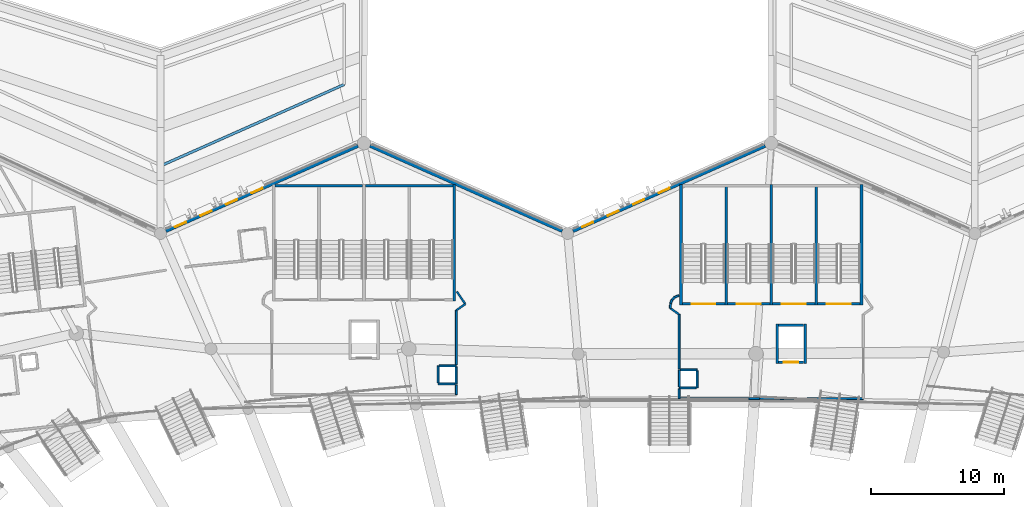
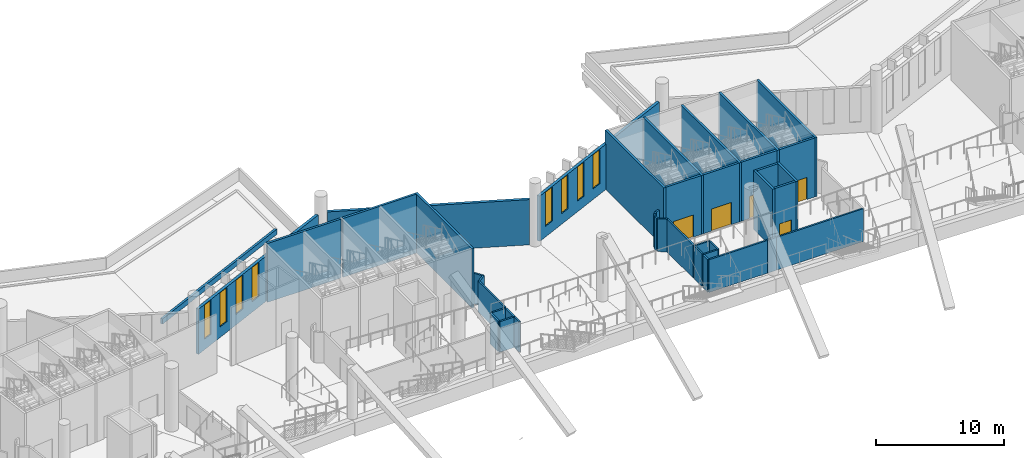
# One storey, part 68 of 173: 42 walls, 8 windows, 5 doors, 13 openings.
"""IFC4 building model written with IfcOpenShell, lengths in metres."""

from ifc_helpers import new_model, si_unit, direction, frame, frame_2d, origin, place, context, subcontext, project, spatial, rectangle, extrude, material, layer, layer_set, type_object, element, fill, save


model = new_model("IFC4")

# Units and contexts
model_context = context("Model", 3, precision=1e-05, world=origin(), true_north=direction((0.0, 1.0)))
body_context = subcontext(model_context, "Body", "Model", "MODEL_VIEW")
ifc_project = project(units=[si_unit("LENGTHUNIT", "METRE"), si_unit("AREAUNIT", "SQUARE_METRE"), si_unit("VOLUMEUNIT", "CUBIC_METRE"), si_unit("PLANEANGLEUNIT", "RADIAN"), si_unit("MASSUNIT", "GRAM", prefix="KILO")], contexts=[model_context])

# Site, building, storey
site_placement = place(None, origin())
site = spatial("IfcSite", under=ifc_project, at=site_placement, CompositionType="ELEMENT")
building_placement = place(site_placement, origin())
building = spatial("IfcBuilding", under=site, at=building_placement, Name="Meseta Stadium", CompositionType="ELEMENT")
storey_placement = place(building_placement, frame((0.0, 0.0, 18.0)))
storey = spatial("IfcBuildingStorey", under=building, at=storey_placement, Name="L03", CompositionType="ELEMENT", Elevation=18.0)

# Walls
ifc_material_1 = material(Name="Concrete C40/50", Category="concrete")
ifc_layer_1 = layer(ifc_material_1, 0.199951171875)
ifc_layer_set_1 = layer_set([ifc_layer_1], Name="Core divider wall 200")
wall_type_1 = type_object("IfcWallType", Name="Core divider wall 200", PredefinedType="SHEAR", material=ifc_layer_set_1)
for number, where, z_axis, x_axis, name in (
    (1, (11.066650390625, 102.300048828125, 0.0), (0.0, 0.0, 1.0), (0.0, -1.0, 0.0), "Core 10 L03 stair A divider wall"),
    (2, (4.2666015625, 102.300048828125, 0.0), (0.0, 0.0, 1.0), (0.0, -1.0, 0.0), "Core 10 L03 stair B divider wall"),
):
    element("IfcWall", number, at=place(storey_placement, frame(where, z_axis=z_axis, x_axis=x_axis)), inside=storey, type_object=wall_type_1, Name=name, PredefinedType="SHEAR", context=body_context, shape_type="SweptSolid", body=[
        extrude(rectangle(XDim=9.10009765625, YDim=0.199951171875, at=frame_2d((4.550048828125, 0.0))), origin(), (0.0, 0.0, 1.0), 5.60009765625),
    ])
ifc_material_2 = material(Name="Concrete C40/50", Category="concrete")
ifc_layer_2 = layer(ifc_material_2, 0.199951171875)
ifc_layer_set_2 = layer_set([ifc_layer_2], Name="Core shaft wall 200")
wall_type_2 = type_object("IfcWallType", Name="Core shaft wall 200", PredefinedType="SHEAR", material=ifc_layer_set_2)
for number, where, z_axis, x_axis, name in (
    (3, (14.466796875, 102.300048828125, 0.0), (0.0, 0.0, 1.0), (0.0, -1.0, 0.0), "Core 10 L03 stair wall A-side"),
    (4, (7.666748046875, 102.300048828125, 0.0), (0.0, 0.0, 1.0), (0.0, -1.0, 0.0), "Core 10 L03 stair wall shared"),
    (5, (0.86669921875, 102.300048828125, 0.0), (0.0, 0.0, 1.0), (0.0, -1.0, 0.0), "Core 10 L03 stair wall B-side"),
):
    element("IfcWall", number, at=place(storey_placement, frame(where, z_axis=z_axis, x_axis=x_axis)), inside=storey, type_object=wall_type_2, Name=name, PredefinedType="SHEAR", context=body_context, shape_type="SweptSolid", body=[
        extrude(rectangle(XDim=9.10009765625, YDim=0.199951171875, at=frame_2d((4.550048828125, 0.0))), origin(), (0.0, 0.0, 1.0), 5.60009765625),
    ])

# Wall, opening, door
wall_1_placement = place(storey_placement, frame((14.36669921875, 93.300048828125, 0.0), z_axis=(0.0, 0.0, 1.0), x_axis=(-1.0, 0.0, 0.0)))
wall_1 = element("IfcWall", 6, at=wall_1_placement, inside=storey, type_object=wall_type_2, Name="Core 10 L03 stair A1 inner end wall", PredefinedType="SHEAR", context=body_context, shape_type="SweptSolid", body=[
    extrude(rectangle(XDim=3.199951171875, YDim=0.199951171875, at=frame_2d((1.60009765625, 0.0))), origin(), (0.0, 0.0, 1.0), 5.60009765625),
])
opening_1_placement = place(wall_1_placement, frame((0.699951171875, 0.0, 0.0)))
opening_1 = element("IfcOpeningElement", 7, at=opening_1_placement, cuts=wall_1, Name="Opening D1393", PredefinedType="OPENING", context=body_context, shape_type="SweptSolid", body=[
    extrude(rectangle(XDim=1.800048828125, YDim=2.10009765625, at=frame_2d((0.89990234375, 1.050048828125))), frame((0.0, 0.10986328125, 0.0), z_axis=(0.0, -1.0, 0.0), x_axis=(1.0, 0.0, 0.0)), (0.0, 0.0, 1.0), 0.219970703125),
])
ifc_material_3 = material(Name="Steel", Category="steel")
door_type_1 = type_object("IfcDoorType", Name="Stair door 1800x2100", OperationType="DOUBLE_DOOR_SINGLE_SWING", PredefinedType="DOOR", material=ifc_material_3)
door_1_placement = place(opening_1_placement, origin())
door_1 = element("IfcDoor", 8, at=door_1_placement, inside=storey, type_object=door_type_1, Name="Stair A1 door 10 L03", OperationType="DOUBLE_DOOR_SINGLE_SWING", OverallHeight=2.10009765625, OverallWidth=1.800048828125, PredefinedType="DOOR", context=body_context, shape_type="SweptSolid", body=[
    extrude(rectangle(XDim=1.800048828125, YDim=2.10009765625, at=frame_2d((0.89990234375, 1.050048828125))), frame((0.0, 0.02490234375, 0.0), z_axis=(0.0, -1.0, 0.0), x_axis=(1.0, 0.0, 0.0)), (0.0, 0.0, 1.0), 0.050048828125),
])
fill(opening_1, door_1)

wall_2_placement = place(storey_placement, frame((10.966796875, 93.300048828125, 0.0), z_axis=(0.0, 0.0, 1.0), x_axis=(-1.0, 0.0, 0.0)))
wall_2 = element("IfcWall", 9, at=wall_2_placement, inside=storey, type_object=wall_type_2, Name="Core 10 L03 stair A2 inner end wall", PredefinedType="SHEAR", context=body_context, shape_type="SweptSolid", body=[
    extrude(rectangle(XDim=3.2001953125, YDim=0.199951171875, at=frame_2d((1.60009765625, 0.0))), origin(), (0.0, 0.0, 1.0), 5.60009765625),
])
opening_2_placement = place(wall_2_placement, frame((0.699951171875, 0.0, 0.0)))
opening_2 = element("IfcOpeningElement", 10, at=opening_2_placement, cuts=wall_2, Name="Opening D1392", PredefinedType="OPENING", context=body_context, shape_type="SweptSolid", body=[
    extrude(rectangle(XDim=1.800048828125, YDim=2.10009765625, at=frame_2d((0.89990234375, 1.050048828125))), frame((0.0, 0.10986328125, 0.0), z_axis=(0.0, -1.0, 0.0), x_axis=(1.0, 0.0, 0.0)), (0.0, 0.0, 1.0), 0.219970703125),
])
door_2_placement = place(opening_2_placement, origin())
door_2 = element("IfcDoor", 11, at=door_2_placement, inside=storey, type_object=door_type_1, Name="Stair A2 door 10 L03", OperationType="DOUBLE_DOOR_SINGLE_SWING", OverallHeight=2.10009765625, OverallWidth=1.800048828125, PredefinedType="DOOR", context=body_context, shape_type="SweptSolid", body=[
    extrude(rectangle(XDim=1.800048828125, YDim=2.10009765625, at=frame_2d((0.89990234375, 1.050048828125))), frame((0.0, 0.02490234375, 0.0), z_axis=(0.0, -1.0, 0.0), x_axis=(1.0, 0.0, 0.0)), (0.0, 0.0, 1.0), 0.050048828125),
])
fill(opening_2, door_2)

wall_3_placement = place(storey_placement, frame((7.566650390625, 93.300048828125, 0.0), z_axis=(0.0, 0.0, 1.0), x_axis=(-1.0, 0.0, 0.0)))
wall_3 = element("IfcWall", 12, at=wall_3_placement, inside=storey, type_object=wall_type_2, Name="Core 10 L03 stair B1 inner end wall", PredefinedType="SHEAR", context=body_context, shape_type="SweptSolid", body=[
    extrude(rectangle(XDim=3.199951171875, YDim=0.199951171875, at=frame_2d((1.60009765625, 0.0))), origin(), (0.0, 0.0, 1.0), 5.60009765625),
])
opening_3_placement = place(wall_3_placement, frame((0.699951171875, 0.0, 0.0)))
opening_3 = element("IfcOpeningElement", 13, at=opening_3_placement, cuts=wall_3, Name="Opening D1391", PredefinedType="OPENING", context=body_context, shape_type="SweptSolid", body=[
    extrude(rectangle(XDim=1.800048828125, YDim=2.10009765625, at=frame_2d((0.89990234375, 1.050048828125))), frame((0.0, 0.10986328125, 0.0), z_axis=(0.0, -1.0, 0.0), x_axis=(1.0, 0.0, 0.0)), (0.0, 0.0, 1.0), 0.219970703125),
])
door_3_placement = place(opening_3_placement, origin())
door_3 = element("IfcDoor", 14, at=door_3_placement, inside=storey, type_object=door_type_1, Name="Stair B1 door 10 L03", OperationType="DOUBLE_DOOR_SINGLE_SWING", OverallHeight=2.10009765625, OverallWidth=1.800048828125, PredefinedType="DOOR", context=body_context, shape_type="SweptSolid", body=[
    extrude(rectangle(XDim=1.800048828125, YDim=2.10009765625, at=frame_2d((0.89990234375, 1.050048828125))), frame((0.0, 0.02490234375, 0.0), z_axis=(0.0, -1.0, 0.0), x_axis=(1.0, 0.0, 0.0)), (0.0, 0.0, 1.0), 0.050048828125),
])
fill(opening_3, door_3)

wall_4_placement = place(storey_placement, frame((4.166748046875, 93.300048828125, 0.0), z_axis=(0.0, 0.0, 1.0), x_axis=(-1.0, 0.0, 0.0)))
wall_4 = element("IfcWall", 15, at=wall_4_placement, inside=storey, type_object=wall_type_2, Name="Core 10 L03 stair B2 inner end wall", PredefinedType="SHEAR", context=body_context, shape_type="SweptSolid", body=[
    extrude(rectangle(XDim=3.199951171875, YDim=0.199951171875, at=frame_2d((1.60009765625, 0.0))), origin(), (0.0, 0.0, 1.0), 5.60009765625),
])
opening_4_placement = place(wall_4_placement, frame((0.699951171875, 0.0, 0.0)))
opening_4 = element("IfcOpeningElement", 16, at=opening_4_placement, cuts=wall_4, Name="Opening D1390", PredefinedType="OPENING", context=body_context, shape_type="SweptSolid", body=[
    extrude(rectangle(XDim=1.800048828125, YDim=2.10009765625, at=frame_2d((0.89990234375, 1.050048828125))), frame((0.0, 0.10986328125, 0.0), z_axis=(0.0, -1.0, 0.0), x_axis=(1.0, 0.0, 0.0)), (0.0, 0.0, 1.0), 0.219970703125),
])
door_4_placement = place(opening_4_placement, origin())
door_4 = element("IfcDoor", 17, at=door_4_placement, inside=storey, type_object=door_type_1, Name="Stair B2 door 10 L03", OperationType="DOUBLE_DOOR_SINGLE_SWING", OverallHeight=2.10009765625, OverallWidth=1.800048828125, PredefinedType="DOOR", context=body_context, shape_type="SweptSolid", body=[
    extrude(rectangle(XDim=1.800048828125, YDim=2.10009765625, at=frame_2d((0.89990234375, 1.050048828125))), frame((0.0, 0.02490234375, 0.0), z_axis=(0.0, -1.0, 0.0), x_axis=(1.0, 0.0, 0.0)), (0.0, 0.0, 1.0), 0.050048828125),
])
fill(opening_4, door_4)

# Walls
for number, where, z_axis, x_axis, name in (
    (18, (10.216796875, 91.800048828125, 0.0), (0.0, 0.0, 1.0), (0.0, -1.0, 0.0), "Core 10 L03 lift shaft wall left"),
    (19, (8.11669921875, 91.800048828125, 0.0), (0.0, 0.0, 1.0), (0.0, -1.0, 0.0), "Core 10 L03 lift shaft wall right"),
):
    element("IfcWall", number, at=place(storey_placement, frame(where, z_axis=z_axis, x_axis=x_axis)), inside=storey, type_object=wall_type_2, Name=name, PredefinedType="SHEAR", context=body_context, shape_type="SweptSolid", body=[
        extrude(rectangle(XDim=3.0, YDim=0.199951171875, at=frame_2d((1.5, 0.0))), origin(), (0.0, 0.0, 1.0), 5.60009765625),
    ])
wall_5_placement = place(storey_placement, frame((10.11669921875, 91.699951171875, 0.0), z_axis=(0.0, 0.0, 1.0), x_axis=(-1.0, 0.0, 0.0)))
element("IfcWall", 20, at=wall_5_placement, inside=storey, type_object=wall_type_2, Name="Core 10 L03 lift shaft back wall", PredefinedType="SHEAR", context=body_context, shape_type="SweptSolid", body=[
    extrude(rectangle(XDim=1.89990234375, YDim=0.199951171875, at=frame_2d((0.949951171875, 0.0))), origin(), (0.0, 0.0, 1.0), 5.60009765625),
])

# Wall, opening, door
wall_6_placement = place(storey_placement, frame((10.11669921875, 88.89990234375, 0.0), z_axis=(0.0, 0.0, 1.0), x_axis=(-1.0, 0.0, 0.0)))
wall_6 = element("IfcWall", 21, at=wall_6_placement, inside=storey, type_object=wall_type_2, Name="Core 10 L03 lift shaft front wall", PredefinedType="SHEAR", context=body_context, shape_type="SweptSolid", body=[
    extrude(rectangle(XDim=1.89990234375, YDim=0.199951171875, at=frame_2d((0.949951171875, 0.0))), origin(), (0.0, 0.0, 1.0), 5.60009765625),
])
opening_5_placement = place(wall_6_placement, frame((0.39990234375, 0.0, 0.0)))
opening_5 = element("IfcOpeningElement", 22, at=opening_5_placement, cuts=wall_6, Name="Opening LD55", PredefinedType="OPENING", context=body_context, shape_type="SweptSolid", body=[
    extrude(rectangle(XDim=1.10009765625, YDim=2.10009765625, at=frame_2d((0.550048828125, 1.050048828125))), frame((0.0, 0.10986328125, 0.0), z_axis=(0.0, -1.0, 0.0), x_axis=(1.0, 0.0, 0.0)), (0.0, 0.0, 1.0), 0.219970703125),
])
ifc_material_4 = material(Name="Steel", Category="steel")
door_type_2 = type_object("IfcDoorType", Name="Lift landing door 1100x2100", OperationType="SLIDING_TO_LEFT", PredefinedType="DOOR", material=ifc_material_4)
door_5_placement = place(opening_5_placement, origin())
door_5 = element("IfcDoor", 23, at=door_5_placement, inside=storey, type_object=door_type_2, Name="Lift landing door LD55", OperationType="SLIDING_TO_LEFT", OverallHeight=2.10009765625, OverallWidth=1.10009765625, PredefinedType="DOOR", context=body_context, shape_type="SweptSolid", body=[
    extrude(rectangle(XDim=1.10009765625, YDim=2.10009765625, at=frame_2d((0.550048828125, 1.050048828125))), frame((0.0, 0.02490234375, 0.0), z_axis=(0.0, -1.0, 0.0), x_axis=(1.0, 0.0, 0.0)), (0.0, 0.0, 1.0), 0.050048828125),
])
fill(opening_5, door_5)

# Walls
wall_7_placement = place(storey_placement, frame((-16.199951171875, 102.300048828125, 0.0), z_axis=(0.0, 0.0, 1.0), x_axis=(0.0, -1.0, 0.0)))
element("IfcWall", 24, at=wall_7_placement, inside=storey, type_object=wall_type_2, Name="Core 11 L03 stair wall A-side", PredefinedType="SHEAR", context=body_context, shape_type="SweptSolid", body=[
    extrude(rectangle(XDim=8.800048828125, YDim=0.199951171875, at=frame_2d((4.39990234375, 0.0))), origin(), (0.0, 0.0, 1.0), 5.60009765625),
])
for number, where, z_axis, x_axis, name in (
    (25, (-16.300048828125, 102.199951171875, 0.0), (0.0, 0.0, 1.0), (-1.0, 0.0, 0.0), "Core 11 L03 stair A outer end wall"),
    (26, (-23.10009765625, 102.199951171875, 0.0), (0.0, 0.0, 1.0), (-1.0, 0.0, 0.0), "Core 11 L03 stair B outer end wall"),
):
    element("IfcWall", number, at=place(storey_placement, frame(where, z_axis=z_axis, x_axis=x_axis)), inside=storey, type_object=wall_type_2, Name=name, PredefinedType="SHEAR", context=body_context, shape_type="SweptSolid", body=[
        extrude(rectangle(XDim=6.599853515625, YDim=0.199951171875, at=frame_2d((3.2998046875, 0.0))), origin(), (0.0, 0.0, 1.0), 5.60009765625),
    ])
ifc_material_5 = material(Name="Masonry blockwork", Category="masonry")
ifc_layer_3 = layer(ifc_material_5, 0.14990234375)
ifc_layer_set_3 = layer_set([ifc_layer_3], Name="Partition 150")
wall_type_3 = type_object("IfcWallType", Name="Partition 150", PredefinedType="PARTITIONING", material=ifc_layer_set_3)
wall_8_placement = place(storey_placement, frame((2.091796875, 88.324951171875, 0.0), z_axis=(0.0, 0.0, 1.0), x_axis=(-1.0, 0.0, 0.0)))
element("IfcWall", 27, at=wall_8_placement, inside=storey, type_object=wall_type_3, Name="Pressurisation shaft wall L03 core 10", PredefinedType="PARTITIONING", context=body_context, shape_type="SweptSolid", body=[
    extrude(rectangle(XDim=1.275146484375, YDim=0.14990234375, at=frame_2d((0.6376953125, 0.0))), origin(), (0.0, 0.0, 1.0), 3.114990234375),
])
for number, where, z_axis, x_axis, name in (
    (28, (0.74169921875, 88.324951171875, 0.0), (0.0, 0.0, 1.0), (0.0, -1.0, 0.0), "Pressurisation shaft wall L03 core 10"),
    (29, (0.74169921875, 86.97509765625, 0.0), (0.0, 0.0, 1.0), (1.0, 0.0, 0.0), "Pressurisation shaft wall L03 core 10"),
    (30, (2.091796875, 86.97509765625, 0.0), (0.0, 0.0, 1.0), (0.0, 1.0, 0.0), "Pressurisation shaft wall L03 core 10"),
):
    element("IfcWall", number, at=place(storey_placement, frame(where, z_axis=z_axis, x_axis=x_axis)), inside=storey, type_object=wall_type_3, Name=name, PredefinedType="PARTITIONING", context=body_context, shape_type="SweptSolid", body=[
        extrude(rectangle(XDim=1.27490234375, YDim=0.14990234375, at=frame_2d((0.637451171875, 0.0))), origin(), (0.0, 0.0, 1.0), 3.114990234375),
    ])
wall_9_placement = place(storey_placement, frame((0.728271484375, 93.9287109375, 0.0), z_axis=(0.0, 0.0, 1.0), x_axis=(-0.937897537761, -0.346912393353, 0.0)))
element("IfcWall", 31, at=wall_9_placement, inside=storey, type_object=wall_type_3, Name="Stair vestibule wall L03 core 10", PredefinedType="PARTITIONING", context=body_context, shape_type="SweptSolid", body=[
    extrude(rectangle(XDim=0.356201171875, YDim=0.14990234375, at=frame_2d((0.17822265625, 0.0))), origin(), (0.0, 0.0, 1.0), 3.114990234375),
])
wall_10_placement = place(storey_placement, frame((0.394287109375, 93.80517578125, 0.0), z_axis=(0.0, 0.0, 1.0), x_axis=(-0.707106781187, -0.707106781187, 0.0)))
element("IfcWall", 32, at=wall_10_placement, inside=storey, type_object=wall_type_3, Name="Stair vestibule wall L03 core 10", PredefinedType="PARTITIONING", context=body_context, shape_type="SweptSolid", body=[
    extrude(rectangle(XDim=0.28515625, YDim=0.14990234375, at=frame_2d((0.142578125, 0.0))), origin(), (0.0, 0.0, 1.0), 3.114990234375),
])
wall_11_placement = place(storey_placement, frame((0.192626953125, 93.603515625, 0.0), z_axis=(0.0, 0.0, 1.0), x_axis=(-0.3830150227, -0.923742113572, 0.0)))
element("IfcWall", 33, at=wall_11_placement, inside=storey, type_object=wall_type_3, Name="Stair vestibule wall L03 core 10", PredefinedType="PARTITIONING", context=body_context, shape_type="SweptSolid", body=[
    extrude(rectangle(XDim=0.28173828125, YDim=0.14990234375, at=frame_2d((0.140869140625, 0.0))), origin(), (0.0, 0.0, 1.0), 3.114990234375),
])
wall_12_placement = place(storey_placement, frame((0.084716796875, 93.34326171875, 0.0), z_axis=(0.0, 0.0, 1.0), x_axis=(-0.038358216731, -0.999264052795, 0.0)))
element("IfcWall", 34, at=wall_12_placement, inside=storey, type_object=wall_type_3, Name="Stair vestibule wall L03 core 10", PredefinedType="PARTITIONING", context=body_context, shape_type="SweptSolid", body=[
    extrude(rectangle(XDim=0.37548828125, YDim=0.14990234375, at=frame_2d((0.187744140625, 0.0))), origin(), (0.0, 0.0, 1.0), 3.114990234375),
])
wall_13_placement = place(storey_placement, frame((0.0703125, 92.968017578125, 0.0), z_axis=(0.0, 0.0, 1.0), x_axis=(0.817587352425, -0.57580458591, 0.0)))
element("IfcWall", 35, at=wall_13_placement, inside=storey, type_object=wall_type_3, Name="Stair vestibule wall L03 core 10", PredefinedType="PARTITIONING", context=body_context, shape_type="SweptSolid", body=[
    extrude(rectangle(XDim=0.796630859375, YDim=0.14990234375, at=frame_2d((0.3984375, 0.0))), origin(), (0.0, 0.0, 1.0), 3.114990234375),
])
wall_14_placement = place(storey_placement, frame((0.7216796875, 92.50927734375, 0.0), z_axis=(0.0, 0.0, 1.0), x_axis=(0.0, -1.0, 0.0)))
element("IfcWall", 36, at=wall_14_placement, inside=storey, type_object=wall_type_3, Name="Stair vestibule wall L03 core 10", PredefinedType="PARTITIONING", context=body_context, shape_type="SweptSolid", body=[
    extrude(rectangle(XDim=4.103515625, YDim=0.14990234375, at=frame_2d((2.0517578125, 0.0))), origin(), (0.0, 0.0, 1.0), 3.114990234375),
])
wall_15_placement = place(storey_placement, frame((0.7216796875, 86.889892578125, 0.0), z_axis=(0.0, 0.0, 1.0), x_axis=(0.0, -1.0, 0.0)))
element("IfcWall", 37, at=wall_15_placement, inside=storey, type_object=wall_type_3, Name="Stair vestibule wall L03 core 10", PredefinedType="PARTITIONING", context=body_context, shape_type="SweptSolid", body=[
    extrude(rectangle(XDim=0.73486328125, YDim=0.14990234375, at=frame_2d((0.367431640625, 0.0))), origin(), (0.0, 0.0, 1.0), 3.114990234375),
])
wall_16_placement = place(storey_placement, frame((0.7216796875, 86.155029296875, 0.0), z_axis=(0.0, 0.0, 1.0), x_axis=(1.0, 0.0, 0.0)))
element("IfcWall", 38, at=wall_16_placement, inside=storey, type_object=wall_type_3, Name="Stair vestibule wall L03 core 10", PredefinedType="PARTITIONING", context=body_context, shape_type="SweptSolid", body=[
    extrude(rectangle(XDim=5.263427734375, YDim=0.14990234375, at=frame_2d((2.6318359375, 0.0))), origin(), (0.0, 0.0, 1.0), 3.110107421875),
])
wall_17_placement = place(storey_placement, frame((6.7890625, 86.155029296875, 0.0), z_axis=(0.0, 0.0, 1.0), x_axis=(1.0, 0.0, 0.0)))
element("IfcWall", 39, at=wall_17_placement, inside=storey, type_object=wall_type_3, Name="Stair vestibule wall L03 core 10", PredefinedType="PARTITIONING", context=body_context, shape_type="SweptSolid", body=[
    extrude(rectangle(XDim=7.82275390625, YDim=0.14990234375, at=frame_2d((3.911376953125, 0.0))), origin(), (0.0, 0.0, 1.0), 3.110107421875),
])
wall_18_placement = place(storey_placement, frame((5.985107421875, 86.155029296875, 0.0), z_axis=(0.0, 0.0, 1.0), x_axis=(1.0, 0.0, 0.0)))
element("IfcWall", 40, at=wall_18_placement, inside=storey, type_object=wall_type_3, Name="Stair vestibule wall L03 core 10", PredefinedType="PARTITIONING", context=body_context, shape_type="SweptSolid", body=[
    extrude(rectangle(XDim=0.803955078125, YDim=0.14990234375, at=frame_2d((0.40185546875, 0.0))), origin(), (0.0, 0.0, 1.0), 3.114990234375),
])
wall_19_placement = place(storey_placement, frame((-16.074951171875, 88.625, 0.0), z_axis=(0.0, 0.0, 1.0), x_axis=(-1.0, 0.0, 0.0)))
element("IfcWall", 41, at=wall_19_placement, inside=storey, type_object=wall_type_3, Name="Pressurisation shaft wall L03 core 11", PredefinedType="PARTITIONING", context=body_context, shape_type="SweptSolid", body=[
    extrude(rectangle(XDim=1.275146484375, YDim=0.14990234375, at=frame_2d((0.6376953125, 0.0))), origin(), (0.0, 0.0, 1.0), 2.9052734375),
])
wall_20_placement = place(storey_placement, frame((-17.425048828125, 88.625, 0.0), z_axis=(0.0, 0.0, 1.0), x_axis=(0.0, -1.0, 0.0)))
element("IfcWall", 42, at=wall_20_placement, inside=storey, type_object=wall_type_3, Name="Pressurisation shaft wall L03 core 11", PredefinedType="PARTITIONING", context=body_context, shape_type="SweptSolid", body=[
    extrude(rectangle(XDim=1.27490234375, YDim=0.14990234375, at=frame_2d((0.637451171875, 0.0))), origin(), (0.0, 0.0, 1.0), 2.9052734375),
])
for number, where, z_axis, x_axis, name in (
    (43, (-17.425048828125, 87.27490234375, 0.0), (0.0, 0.0, 1.0), (1.0, 0.0, 0.0), "Pressurisation shaft wall L03 core 11"),
    (44, (-16.074951171875, 87.27490234375, 0.0), (0.0, 0.0, 1.0), (0.0, 1.0, 0.0), "Pressurisation shaft wall L03 core 11"),
):
    element("IfcWall", number, at=place(storey_placement, frame(where, z_axis=z_axis, x_axis=x_axis)), inside=storey, type_object=wall_type_3, Name=name, PredefinedType="PARTITIONING", context=body_context, shape_type="SweptSolid", body=[
        extrude(rectangle(XDim=1.275146484375, YDim=0.14990234375, at=frame_2d((0.6376953125, 0.0))), origin(), (0.0, 0.0, 1.0), 2.9052734375),
    ])
wall_21_placement = place(storey_placement, frame((-16.054931640625, 86.455078125, 0.0), z_axis=(0.0, 0.0, 1.0), x_axis=(0.0, 1.0, 0.0)))
element("IfcWall", 45, at=wall_21_placement, inside=storey, type_object=wall_type_3, Name="Stair vestibule wall L03 core 11", PredefinedType="PARTITIONING", context=body_context, shape_type="SweptSolid", body=[
    extrude(rectangle(XDim=0.739013671875, YDim=0.14990234375, at=frame_2d((0.36962890625, 0.0))), origin(), (0.0, 0.0, 1.0), 2.9052734375),
])
wall_22_placement = place(storey_placement, frame((-16.054931640625, 88.7099609375, 0.0), z_axis=(0.0, 0.0, 1.0), x_axis=(0.0, 1.0, 0.0)))
element("IfcWall", 46, at=wall_22_placement, inside=storey, type_object=wall_type_3, Name="Stair vestibule wall L03 core 11", PredefinedType="PARTITIONING", context=body_context, shape_type="SweptSolid", body=[
    extrude(rectangle(XDim=4.099365234375, YDim=0.14990234375, at=frame_2d((2.0498046875, 0.0))), origin(), (0.0, 0.0, 1.0), 2.9052734375),
])
wall_23_placement = place(storey_placement, frame((-16.054931640625, 92.809326171875, 0.0), z_axis=(0.0, 0.0, 1.0), x_axis=(0.81774999294, 0.575573582652, 0.0)))
element("IfcWall", 47, at=wall_23_placement, inside=storey, type_object=wall_type_3, Name="Stair vestibule wall L03 core 11", PredefinedType="PARTITIONING", context=body_context, shape_type="SweptSolid", body=[
    extrude(rectangle(XDim=0.82958984375, YDim=0.14990234375, at=frame_2d((0.414794921875, 0.0))), origin(), (0.0, 0.0, 1.0), 2.9052734375),
])
wall_24_placement = place(storey_placement, frame((-15.37646484375, 93.286865234375, 0.0), z_axis=(0.0, 0.0, 1.0), x_axis=(-0.562120553728, 0.827055308354, 0.0)))
element("IfcWall", 48, at=wall_24_placement, inside=storey, type_object=wall_type_3, Name="Stair vestibule wall L03 core 11", PredefinedType="PARTITIONING", context=body_context, shape_type="SweptSolid", body=[
    extrude(rectangle(XDim=1.1279296875, YDim=0.14990234375, at=frame_2d((0.56396484375, 0.0))), origin(), (0.0, 0.0, 1.0), 2.9052734375),
])
ifc_material_6 = material(Name="Precast concrete C40/50", Category="concrete")
ifc_layer_4 = layer(ifc_material_6, 0.199951171875)
ifc_layer_set_4 = layer_set([ifc_layer_4], Name="Planter kerb 200")
wall_type_4 = type_object("IfcWallType", Name="Planter kerb 200", PredefinedType="USERDEFINED", material=ifc_layer_set_4)
wall_25_placement = place(storey_placement, frame((-24.5, 109.821533203125, 0.0), z_axis=(0.0, 0.0, 1.0), x_axis=(-0.914136333713, -0.405406910875, 0.0)))
element("IfcWall", 49, at=wall_25_placement, inside=storey, type_object=wall_type_4, Name="Planter kerb 3.1.3", ObjectType="PLANTER", PredefinedType="USERDEFINED", context=body_context, shape_type="SweptSolid", body=[
    extrude(rectangle(XDim=15.082275390625, YDim=0.199951171875, at=frame_2d((7.541015625, 0.0))), origin(), (0.0, 0.0, 1.0), 0.5),
])

# Wall, openings, windows
ifc_material_7 = material(Name="White precast concrete C40/50", Category="concrete")
ifc_layer_5 = layer(ifc_material_7, 0.25)
ifc_layer_set_5 = layer_set([ifc_layer_5], Name="Pleated panel wall 250")
wall_type_5 = type_object("IfcWallType", Name="Pleated panel wall 250", PredefinedType="SOLIDWALL", material=ifc_layer_set_5)
wall_26_placement = place(storey_placement, frame((-7.255615234375, 98.7822265625, 0.0), z_axis=(0.0, 0.0, 1.0), x_axis=(0.914136361455, 0.405406848322, 0.0)))
wall_26 = element("IfcWall", 50, at=wall_26_placement, inside=storey, type_object=wall_type_5, Name="Pleated facade panel L03 F18", PredefinedType="SOLIDWALL", context=body_context, shape_type="SweptSolid", body=[
    extrude(rectangle(XDim=15.82421875, YDim=0.25, at=frame_2d((7.912109375, 0.0))), origin(), (0.0, 0.0, 1.0), 4.300048828125),
])
opening_6_placement = place(wall_26_placement, frame((0.75048828125, 0.0, 1.0)))
opening_6 = element("IfcOpeningElement", 51, at=opening_6_placement, cuts=wall_26, Name="Opening W105", PredefinedType="OPENING", context=body_context, shape_type="SweptSolid", body=[
    extrude(rectangle(XDim=0.89990234375, YDim=3.25, at=frame_2d((0.449951171875, 1.625))), frame((0.0, 0.135009765625, 0.0), z_axis=(0.0, -1.0, 0.0), x_axis=(1.0, 0.0, 0.0)), (0.0, 0.0, 1.0), 0.27001953125),
])
opening_7_placement = place(wall_26_placement, frame((2.850341796875, 0.0, 1.0)))
opening_7 = element("IfcOpeningElement", 52, at=opening_7_placement, cuts=wall_26, Name="Opening W106", PredefinedType="OPENING", context=body_context, shape_type="SweptSolid", body=[
    extrude(rectangle(XDim=0.89990234375, YDim=3.25, at=frame_2d((0.449951171875, 1.625))), frame((0.0, 0.135009765625, 0.0), z_axis=(0.0, -1.0, 0.0), x_axis=(1.0, 0.0, 0.0)), (0.0, 0.0, 1.0), 0.27001953125),
])
opening_8_placement = place(wall_26_placement, frame((4.950439453125, 0.0, 1.0)))
opening_8 = element("IfcOpeningElement", 53, at=opening_8_placement, cuts=wall_26, Name="Opening W107", PredefinedType="OPENING", context=body_context, shape_type="SweptSolid", body=[
    extrude(rectangle(XDim=0.89990234375, YDim=3.25, at=frame_2d((0.449951171875, 1.625))), frame((0.0, 0.135009765625, 0.0), z_axis=(0.0, -1.0, 0.0), x_axis=(1.0, 0.0, 0.0)), (0.0, 0.0, 1.0), 0.27001953125),
])
opening_9_placement = place(wall_26_placement, frame((7.05029296875, 0.0, 1.0)))
opening_9 = element("IfcOpeningElement", 54, at=opening_9_placement, cuts=wall_26, Name="Opening W108", PredefinedType="OPENING", context=body_context, shape_type="SweptSolid", body=[
    extrude(rectangle(XDim=0.89990234375, YDim=3.25, at=frame_2d((0.449951171875, 1.625))), frame((0.0, 0.135009765625, 0.0), z_axis=(0.0, -1.0, 0.0), x_axis=(1.0, 0.0, 0.0)), (0.0, 0.0, 1.0), 0.27001953125),
])
ifc_material_8 = material(Name="Aluminium", Category="aluminium")
window_type = type_object("IfcWindowType", Name="Slot window 900x3250", PartitioningType="SINGLE_PANEL", PredefinedType="WINDOW", material=ifc_material_8)
window_1_placement = place(opening_6_placement, origin())
window_1 = element("IfcWindow", 55, at=window_1_placement, inside=storey, type_object=window_type, Name="Slot window L03 F18.1", OverallHeight=3.25, OverallWidth=0.89990234375, PartitioningType="SINGLE_PANEL", PredefinedType="WINDOW", context=body_context, shape_type="SweptSolid", body=[
    extrude(rectangle(XDim=0.89990234375, YDim=3.25, at=frame_2d((0.449951171875, 1.625))), frame((0.0, 0.030029296875, 0.0), z_axis=(0.0, -1.0, 0.0), x_axis=(1.0, 0.0, 0.0)), (0.0, 0.0, 1.0), 0.06005859375),
])
fill(opening_6, window_1)
window_2_placement = place(opening_7_placement, origin())
window_2 = element("IfcWindow", 56, at=window_2_placement, inside=storey, type_object=window_type, Name="Slot window L03 F18.2", OverallHeight=3.25, OverallWidth=0.89990234375, PartitioningType="SINGLE_PANEL", PredefinedType="WINDOW", context=body_context, shape_type="SweptSolid", body=[
    extrude(rectangle(XDim=0.89990234375, YDim=3.25, at=frame_2d((0.449951171875, 1.625))), frame((0.0, 0.030029296875, 0.0), z_axis=(0.0, -1.0, 0.0), x_axis=(1.0, 0.0, 0.0)), (0.0, 0.0, 1.0), 0.06005859375),
])
fill(opening_7, window_2)
window_3_placement = place(opening_8_placement, origin())
window_3 = element("IfcWindow", 57, at=window_3_placement, inside=storey, type_object=window_type, Name="Slot window L03 F18.3", OverallHeight=3.25, OverallWidth=0.89990234375, PartitioningType="SINGLE_PANEL", PredefinedType="WINDOW", context=body_context, shape_type="SweptSolid", body=[
    extrude(rectangle(XDim=0.89990234375, YDim=3.25, at=frame_2d((0.449951171875, 1.625))), frame((0.0, 0.030029296875, 0.0), z_axis=(0.0, -1.0, 0.0), x_axis=(1.0, 0.0, 0.0)), (0.0, 0.0, 1.0), 0.06005859375),
])
fill(opening_8, window_3)
window_4_placement = place(opening_9_placement, origin())
window_4 = element("IfcWindow", 58, at=window_4_placement, inside=storey, type_object=window_type, Name="Slot window L03 F18.4", OverallHeight=3.25, OverallWidth=0.89990234375, PartitioningType="SINGLE_PANEL", PredefinedType="WINDOW", context=body_context, shape_type="SweptSolid", body=[
    extrude(rectangle(XDim=0.89990234375, YDim=3.25, at=frame_2d((0.449951171875, 1.625))), frame((0.0, 0.030029296875, 0.0), z_axis=(0.0, -1.0, 0.0), x_axis=(1.0, 0.0, 0.0)), (0.0, 0.0, 1.0), 0.06005859375),
])
fill(opening_9, window_4)

# Wall
wall_27_placement = place(storey_placement, frame((-22.54345703125, 105.197509765625, 0.0), z_axis=(0.0, 0.0, 1.0), x_axis=(0.914138897099, -0.405401130748, 0.0)))
element("IfcWall", 59, at=wall_27_placement, inside=storey, type_object=wall_type_5, Name="Pleated facade panel L03 F19", PredefinedType="SOLIDWALL", context=body_context, shape_type="SweptSolid", body=[
    extrude(rectangle(XDim=15.824462890625, YDim=0.25, at=frame_2d((7.912109375, 0.0))), origin(), (0.0, 0.0, 1.0), 4.300048828125),
])

# Wall, openings, windows
wall_28_placement = place(storey_placement, frame((-37.92236328125, 98.7822265625, 0.0), z_axis=(0.0, 0.0, 1.0), x_axis=(0.914138897099, 0.405401130748, 0.0)))
wall_28 = element("IfcWall", 60, at=wall_28_placement, inside=storey, type_object=wall_type_5, Name="Pleated facade panel L03 F20", PredefinedType="SOLIDWALL", context=body_context, shape_type="SweptSolid", body=[
    extrude(rectangle(XDim=15.824462890625, YDim=0.25, at=frame_2d((7.912109375, 0.0))), origin(), (0.0, 0.0, 1.0), 4.300048828125),
])
opening_10_placement = place(wall_28_placement, frame((0.75048828125, 0.0, 1.0)))
opening_10 = element("IfcOpeningElement", 61, at=opening_10_placement, cuts=wall_28, Name="Opening W093", PredefinedType="OPENING", context=body_context, shape_type="SweptSolid", body=[
    extrude(rectangle(XDim=0.89990234375, YDim=3.25, at=frame_2d((0.449951171875, 1.625))), frame((0.0, 0.135009765625, 0.0), z_axis=(0.0, -1.0, 0.0), x_axis=(1.0, 0.0, 0.0)), (0.0, 0.0, 1.0), 0.27001953125),
])
opening_11_placement = place(wall_28_placement, frame((2.850341796875, 0.0, 1.0)))
opening_11 = element("IfcOpeningElement", 62, at=opening_11_placement, cuts=wall_28, Name="Opening W094", PredefinedType="OPENING", context=body_context, shape_type="SweptSolid", body=[
    extrude(rectangle(XDim=0.89990234375, YDim=3.25, at=frame_2d((0.449951171875, 1.625))), frame((0.0, 0.135009765625, 0.0), z_axis=(0.0, -1.0, 0.0), x_axis=(1.0, 0.0, 0.0)), (0.0, 0.0, 1.0), 0.27001953125),
])
opening_12_placement = place(wall_28_placement, frame((4.950439453125, 0.0, 1.0)))
opening_12 = element("IfcOpeningElement", 63, at=opening_12_placement, cuts=wall_28, Name="Opening W095", PredefinedType="OPENING", context=body_context, shape_type="SweptSolid", body=[
    extrude(rectangle(XDim=0.89990234375, YDim=3.25, at=frame_2d((0.449951171875, 1.625))), frame((0.0, 0.135009765625, 0.0), z_axis=(0.0, -1.0, 0.0), x_axis=(1.0, 0.0, 0.0)), (0.0, 0.0, 1.0), 0.27001953125),
])
opening_13_placement = place(wall_28_placement, frame((7.05029296875, 0.0, 1.0)))
opening_13 = element("IfcOpeningElement", 64, at=opening_13_placement, cuts=wall_28, Name="Opening W096", PredefinedType="OPENING", context=body_context, shape_type="SweptSolid", body=[
    extrude(rectangle(XDim=0.89990234375, YDim=3.25, at=frame_2d((0.449951171875, 1.625))), frame((0.0, 0.135009765625, 0.0), z_axis=(0.0, -1.0, 0.0), x_axis=(1.0, 0.0, 0.0)), (0.0, 0.0, 1.0), 0.27001953125),
])
window_5_placement = place(opening_10_placement, origin())
window_5 = element("IfcWindow", 65, at=window_5_placement, inside=storey, type_object=window_type, Name="Slot window L03 F20.1", OverallHeight=3.25, OverallWidth=0.89990234375, PartitioningType="SINGLE_PANEL", PredefinedType="WINDOW", context=body_context, shape_type="SweptSolid", body=[
    extrude(rectangle(XDim=0.89990234375, YDim=3.25, at=frame_2d((0.449951171875, 1.625))), frame((0.0, 0.030029296875, 0.0), z_axis=(0.0, -1.0, 0.0), x_axis=(1.0, 0.0, 0.0)), (0.0, 0.0, 1.0), 0.06005859375),
])
fill(opening_10, window_5)
window_6_placement = place(opening_11_placement, origin())
window_6 = element("IfcWindow", 66, at=window_6_placement, inside=storey, type_object=window_type, Name="Slot window L03 F20.2", OverallHeight=3.25, OverallWidth=0.89990234375, PartitioningType="SINGLE_PANEL", PredefinedType="WINDOW", context=body_context, shape_type="SweptSolid", body=[
    extrude(rectangle(XDim=0.89990234375, YDim=3.25, at=frame_2d((0.449951171875, 1.625))), frame((0.0, 0.030029296875, 0.0), z_axis=(0.0, -1.0, 0.0), x_axis=(1.0, 0.0, 0.0)), (0.0, 0.0, 1.0), 0.06005859375),
])
fill(opening_11, window_6)
window_7_placement = place(opening_12_placement, origin())
window_7 = element("IfcWindow", 67, at=window_7_placement, inside=storey, type_object=window_type, Name="Slot window L03 F20.3", OverallHeight=3.25, OverallWidth=0.89990234375, PartitioningType="SINGLE_PANEL", PredefinedType="WINDOW", context=body_context, shape_type="SweptSolid", body=[
    extrude(rectangle(XDim=0.89990234375, YDim=3.25, at=frame_2d((0.449951171875, 1.625))), frame((0.0, 0.030029296875, 0.0), z_axis=(0.0, -1.0, 0.0), x_axis=(1.0, 0.0, 0.0)), (0.0, 0.0, 1.0), 0.06005859375),
])
fill(opening_12, window_7)
window_8_placement = place(opening_13_placement, origin())
window_8 = element("IfcWindow", 68, at=window_8_placement, inside=storey, type_object=window_type, Name="Slot window L03 F20.4", OverallHeight=3.25, OverallWidth=0.89990234375, PartitioningType="SINGLE_PANEL", PredefinedType="WINDOW", context=body_context, shape_type="SweptSolid", body=[
    extrude(rectangle(XDim=0.89990234375, YDim=3.25, at=frame_2d((0.449951171875, 1.625))), frame((0.0, 0.030029296875, 0.0), z_axis=(0.0, -1.0, 0.0), x_axis=(1.0, 0.0, 0.0)), (0.0, 0.0, 1.0), 0.06005859375),
])
fill(opening_13, window_8)

save(model, "model.ifc")
